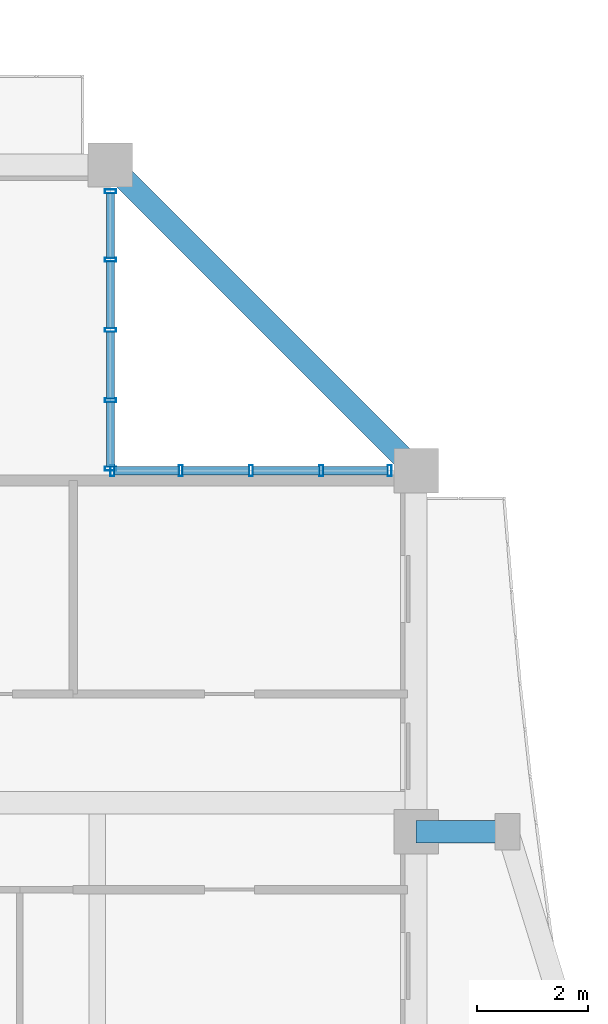
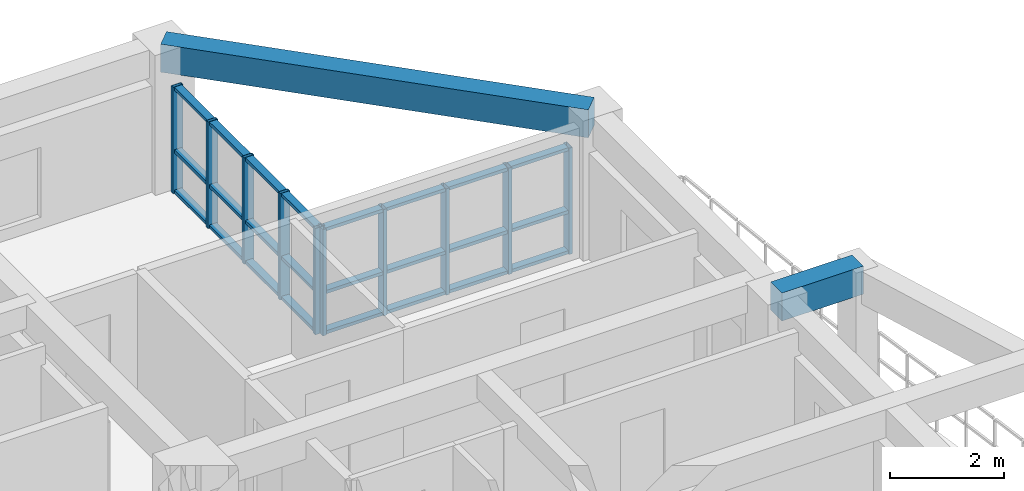
# One storey, part 8 of 22: 34 members, 2 beams, 2 elements without a shape of their own.
"""IFC4 building model written with IfcOpenShell, lengths in metres."""

from ifc_helpers import new_model, si_unit, direction, frame, origin, origin_2d, place, context, subcontext, project, spatial, rectangle, hollow_rectangle, extrude, source, transform, mapped, material, layer, layer_set, material_profile, profile_set, type_object, element, aggregate, save


model = new_model("IFC4")

# Units and contexts
model_context = context("Model", 3, precision=1e-05, world=origin(), true_north=direction((0.0, 1.0)))
body_context = subcontext(model_context, "Body", "Model", "MODEL_VIEW")
ifc_project = project(units=[si_unit("LENGTHUNIT", "METRE"), si_unit("AREAUNIT", "SQUARE_METRE"), si_unit("VOLUMEUNIT", "CUBIC_METRE"), si_unit("PLANEANGLEUNIT", "RADIAN"), si_unit("MASSUNIT", "GRAM", prefix="KILO")], contexts=[model_context])

# Site, building, storey
site_placement = place(None, origin())
site = spatial("IfcSite", under=ifc_project, at=site_placement, CompositionType="ELEMENT")
building_placement = place(site_placement, origin())
building = spatial("IfcBuilding", under=site, at=building_placement, Name="Saelheon Loggia Tower", CompositionType="ELEMENT")
storey_placement = place(building_placement, frame((0.0, 0.0, 196.60009765625)))
storey = spatial("IfcBuildingStorey", under=building, at=storey_placement, Name="L61", CompositionType="ELEMENT", Elevation=196.60009765625)

# Beams
ifc_material_1 = material(Name="Precast Concrete C45/55", Category="concrete")
ifc_material_profile_1 = material_profile(ifc_material_1, rectangle(XDim=0.39990234375, YDim=0.60009765625, at=origin_2d()), Name="RC-400x600")
ifc_profile_set_1 = profile_set([ifc_material_profile_1], Name="Precast Concrete C45/55")
beam_type_1 = type_object("IfcBeamType", Name="Beam_LoggiaTie_RC400x600", PredefinedType="BEAM", material=ifc_profile_set_1)
shared_shape_1 = source(origin(), body_context, "Body", "SweptSolid", [
    extrude(rectangle(XDim=0.39990234375, YDim=0.60009765625, at=origin_2d()), origin(), (0.0, 0.0, 1.0), 1.64990234375),
])
beam_1_placement = place(storey_placement, frame((56.5, 36.0, 2.699951171875), z_axis=(1.0, 0.0, 0.0), x_axis=(0.0, 1.0, 0.0)))
element("IfcBeam", 1, at=beam_1_placement, inside=storey, type_object=beam_type_1, Name="L61 Loggia Frame Tie Beam LP-E2", PredefinedType="BEAM", context=body_context, shape_type="MappedRepresentation", body=[
    mapped(shared_shape_1, transform((0.0, 0.0, 0.0), scale=1.0)),
])
ifc_material_2 = material(Name="Concrete C40/50", Category="concrete")
ifc_material_profile_2 = material_profile(ifc_material_2, rectangle(XDim=0.39990234375, YDim=0.60009765625, at=origin_2d()), Name="RC-400x600")
ifc_profile_set_2 = profile_set([ifc_material_profile_2], Name="Concrete C40/50")
beam_type_2 = type_object("IfcBeamType", Name="Beam_PerimUpper_RC400x600", PredefinedType="BEAM", material=ifc_profile_set_2)
shared_shape_2 = source(origin(), body_context, "Body", "SweptSolid", [
    extrude(rectangle(XDim=0.39990234375, YDim=0.60009765625, at=origin_2d()), origin(), (0.0, 0.0, 1.0), 7.778076171875),
])
beam_2_placement = place(storey_placement, frame((56.5, 42.5, 2.699951171875), z_axis=(-0.707106781187, 0.707106781187, 0.0), x_axis=(-0.707106781187, -0.707106781187, 0.0)))
element("IfcBeam", 2, at=beam_2_placement, inside=storey, type_object=beam_type_2, Name="L61 Perimeter Frame Girder 08", PredefinedType="BEAM", context=body_context, shape_type="MappedRepresentation", body=[
    mapped(shared_shape_2, transform((0.0, 0.0, 0.0), scale=1.0)),
])

# Curtain wall, members
ifc_material_3 = material(Name="High-Wind Aluminium and Triple Laminated Glass", Category="aluminium")
ifc_layer = layer(ifc_material_3, 0.179931640625)
ifc_layer_set = layer_set([ifc_layer], Name="High-Wind Aluminium and Triple Laminated Glass")
curtain_wall_type = type_object("IfcCurtainWallType", Name="CW_TowerLoggiaHigh", PredefinedType="NOTDEFINED", material=ifc_layer_set)
curtain_wall_1_placement = place(storey_placement, origin())
curtain_wall_1 = element("IfcCurtainWall", 3, at=curtain_wall_1_placement, inside=storey, type_object=curtain_wall_type, Name="L61 Corner Notch Glazing NE1", PredefinedType="NOTDEFINED")
ifc_material_4 = material(Name="Anodised Aluminium 6063-T6", Category="aluminium")
ifc_material_profile_3 = material_profile(ifc_material_4, hollow_rectangle(XDim=0.070068359375, YDim=0.199951171875, WallThickness=0.0048828125, at=origin_2d()), Name="RHS-200x70x5")
ifc_profile_set_3 = profile_set([ifc_material_profile_3], Name="Anodised Aluminium 6063-T6")
member_type_1 = type_object("IfcMemberType", Name="CW_TowerLoggiaHigh_Mullion", PredefinedType="MULLION", material=ifc_profile_set_3)
shared_shape_3 = source(origin(), body_context, "Body", "SweptSolid", [
    extrude(hollow_rectangle(XDim=0.070068359375, YDim=0.199951171875, WallThickness=0.0048828125, at=origin_2d()), origin(), (0.0, 0.0, 1.0), 2.27978515625),
])
member_1_placement = place(storey_placement, frame((51.0, 42.534912109375, 0.0), z_axis=(0.0, 0.0, 1.0), x_axis=(0.0, 1.0, 0.0)))
member_1 = element("IfcMember", 4, at=member_1_placement, type_object=member_type_1, Name="CW4 mullion 1", PredefinedType="MULLION", context=body_context, shape_type="MappedRepresentation", body=[
    mapped(shared_shape_3, transform((0.0, 0.0, 0.0), scale=1.0)),
])
member_2_placement = place(storey_placement, frame((51.0, 43.764892578125, 0.0), z_axis=(0.0, 0.0, 1.0), x_axis=(0.0, 1.0, 0.0)))
member_2 = element("IfcMember", 5, at=member_2_placement, type_object=member_type_1, Name="CW4 mullion 2", PredefinedType="MULLION", context=body_context, shape_type="MappedRepresentation", body=[
    mapped(shared_shape_3, transform((0.0, 0.0, 0.0), scale=1.0)),
])
member_3_placement = place(storey_placement, frame((51.0, 45.030029296875, 0.0), z_axis=(0.0, 0.0, 1.0), x_axis=(0.0, 1.0, 0.0)))
member_3 = element("IfcMember", 6, at=member_3_placement, type_object=member_type_1, Name="CW4 mullion 3", PredefinedType="MULLION", context=body_context, shape_type="MappedRepresentation", body=[
    mapped(shared_shape_3, transform((0.0, 0.0, 0.0), scale=1.0)),
])
member_4_placement = place(storey_placement, frame((51.0, 46.294921875, 0.0), z_axis=(0.0, 0.0, 1.0), x_axis=(0.0, 1.0, 0.0)))
member_4 = element("IfcMember", 7, at=member_4_placement, type_object=member_type_1, Name="CW4 mullion 4", PredefinedType="MULLION", context=body_context, shape_type="MappedRepresentation", body=[
    mapped(shared_shape_3, transform((0.0, 0.0, 0.0), scale=1.0)),
])
member_5_placement = place(storey_placement, frame((51.0, 47.52490234375, 0.0), z_axis=(0.0, 0.0, 1.0), x_axis=(0.0, 1.0, 0.0)))
member_5 = element("IfcMember", 8, at=member_5_placement, type_object=member_type_1, Name="CW4 mullion 5", PredefinedType="MULLION", context=body_context, shape_type="MappedRepresentation", body=[
    mapped(shared_shape_3, transform((0.0, 0.0, 0.0), scale=1.0)),
])

curtain_wall_2_placement = place(storey_placement, origin())
curtain_wall_2 = element("IfcCurtainWall", 9, at=curtain_wall_2_placement, inside=storey, type_object=curtain_wall_type, Name="L61 Corner Notch Glazing NE2", PredefinedType="NOTDEFINED")
member_6_placement = place(storey_placement, frame((51.034912109375, 42.5, 0.0), z_axis=(0.0, 0.0, 1.0), x_axis=(1.0, 0.0, 0.0)))
member_6 = element("IfcMember", 10, at=member_6_placement, type_object=member_type_1, Name="CW4 mullion 1", PredefinedType="MULLION", context=body_context, shape_type="MappedRepresentation", body=[
    mapped(shared_shape_3, transform((0.0, 0.0, 0.0), scale=1.0)),
])
member_7_placement = place(storey_placement, frame((52.264892578125, 42.5, 0.0), z_axis=(0.0, 0.0, 1.0), x_axis=(1.0, 0.0, 0.0)))
member_7 = element("IfcMember", 11, at=member_7_placement, type_object=member_type_1, Name="CW4 mullion 2", PredefinedType="MULLION", context=body_context, shape_type="MappedRepresentation", body=[
    mapped(shared_shape_3, transform((0.0, 0.0, 0.0), scale=1.0)),
])
member_8_placement = place(storey_placement, frame((53.530029296875, 42.5, 0.0), z_axis=(0.0, 0.0, 1.0), x_axis=(1.0, 0.0, 0.0)))
member_8 = element("IfcMember", 12, at=member_8_placement, type_object=member_type_1, Name="CW4 mullion 3", PredefinedType="MULLION", context=body_context, shape_type="MappedRepresentation", body=[
    mapped(shared_shape_3, transform((0.0, 0.0, 0.0), scale=1.0)),
])
member_9_placement = place(storey_placement, frame((54.794921875, 42.5, 0.0), z_axis=(0.0, 0.0, 1.0), x_axis=(1.0, 0.0, 0.0)))
member_9 = element("IfcMember", 13, at=member_9_placement, type_object=member_type_1, Name="CW4 mullion 4", PredefinedType="MULLION", context=body_context, shape_type="MappedRepresentation", body=[
    mapped(shared_shape_3, transform((0.0, 0.0, 0.0), scale=1.0)),
])
member_10_placement = place(storey_placement, frame((56.02490234375, 42.5, 0.0), z_axis=(0.0, 0.0, 1.0), x_axis=(1.0, 0.0, 0.0)))
member_10 = element("IfcMember", 14, at=member_10_placement, type_object=member_type_1, Name="CW4 mullion 5", PredefinedType="MULLION", context=body_context, shape_type="MappedRepresentation", body=[
    mapped(shared_shape_3, transform((0.0, 0.0, 0.0), scale=1.0)),
])

# Member
ifc_material_profile_4 = material_profile(ifc_material_4, hollow_rectangle(XDim=0.070068359375, YDim=0.14990234375, WallThickness=0.0048828125, at=origin_2d()), Name="RHS-150x70x5")
ifc_profile_set_4 = profile_set([ifc_material_profile_4], Name="Anodised Aluminium 6063-T6")
member_type_2 = type_object("IfcMemberType", Name="CW_TowerLoggiaHigh_Transom", PredefinedType="USERDEFINED", material=ifc_profile_set_4)
shared_shape_4 = source(origin(), body_context, "Body", "SweptSolid", [
    extrude(hollow_rectangle(XDim=0.070068359375, YDim=0.14990234375, WallThickness=0.0048828125, at=origin_2d()), origin(), (0.0, 0.0, 1.0), 1.159912109375),
])
member_11_placement = place(storey_placement, frame((51.0, 42.570068359375, 0.034912109375), z_axis=(0.0, 1.0, 0.0), x_axis=(0.0, 0.0, 1.0)))
member_11 = element("IfcMember", 15, at=member_11_placement, type_object=member_type_2, Name="CW4 transom 1.1", ObjectType="TRANSOM", PredefinedType="USERDEFINED", context=body_context, shape_type="MappedRepresentation", body=[
    mapped(shared_shape_4, transform((0.0, 0.0, 0.0), scale=1.0)),
])

member_12_placement = place(storey_placement, frame((51.0, 42.570068359375, 0.89990234375), z_axis=(0.0, 1.0, 0.0), x_axis=(0.0, 0.0, 1.0)))
member_12 = element("IfcMember", 16, at=member_12_placement, type_object=member_type_2, Name="CW4 transom 1.2", ObjectType="TRANSOM", PredefinedType="USERDEFINED", context=body_context, shape_type="MappedRepresentation", body=[
    mapped(shared_shape_4, transform((0.0, 0.0, 0.0), scale=1.0)),
])

member_13_placement = place(storey_placement, frame((51.0, 42.570068359375, 2.244873046875), z_axis=(0.0, 1.0, 0.0), x_axis=(0.0, 0.0, 1.0)))
member_13 = element("IfcMember", 17, at=member_13_placement, type_object=member_type_2, Name="CW4 transom 1.3", ObjectType="TRANSOM", PredefinedType="USERDEFINED", context=body_context, shape_type="MappedRepresentation", body=[
    mapped(shared_shape_4, transform((0.0, 0.0, 0.0), scale=1.0)),
])

member_14_placement = place(storey_placement, frame((51.0, 46.330078125, 0.034912109375), z_axis=(0.0, 1.0, 0.0), x_axis=(0.0, 0.0, 1.0)))
member_14 = element("IfcMember", 18, at=member_14_placement, type_object=member_type_2, Name="CW4 transom 4.1", ObjectType="TRANSOM", PredefinedType="USERDEFINED", context=body_context, shape_type="MappedRepresentation", body=[
    mapped(shared_shape_4, transform((0.0, 0.0, 0.0), scale=1.0)),
])

member_15_placement = place(storey_placement, frame((51.0, 46.330078125, 0.89990234375), z_axis=(0.0, 1.0, 0.0), x_axis=(0.0, 0.0, 1.0)))
member_15 = element("IfcMember", 19, at=member_15_placement, type_object=member_type_2, Name="CW4 transom 4.2", ObjectType="TRANSOM", PredefinedType="USERDEFINED", context=body_context, shape_type="MappedRepresentation", body=[
    mapped(shared_shape_4, transform((0.0, 0.0, 0.0), scale=1.0)),
])

member_16_placement = place(storey_placement, frame((51.0, 46.330078125, 2.244873046875), z_axis=(0.0, 1.0, 0.0), x_axis=(0.0, 0.0, 1.0)))
member_16 = element("IfcMember", 20, at=member_16_placement, type_object=member_type_2, Name="CW4 transom 4.3", ObjectType="TRANSOM", PredefinedType="USERDEFINED", context=body_context, shape_type="MappedRepresentation", body=[
    mapped(shared_shape_4, transform((0.0, 0.0, 0.0), scale=1.0)),
])

member_17_placement = place(storey_placement, frame((51.070068359375, 42.5, 0.034912109375), z_axis=(1.0, 0.0, 0.0), x_axis=(0.0, 0.0, 1.0)))
member_17 = element("IfcMember", 21, at=member_17_placement, type_object=member_type_2, Name="CW4 transom 1.1", ObjectType="TRANSOM", PredefinedType="USERDEFINED", context=body_context, shape_type="MappedRepresentation", body=[
    mapped(shared_shape_4, transform((0.0, 0.0, 0.0), scale=1.0)),
])

member_18_placement = place(storey_placement, frame((51.070068359375, 42.5, 0.89990234375), z_axis=(1.0, 0.0, 0.0), x_axis=(0.0, 0.0, 1.0)))
member_18 = element("IfcMember", 22, at=member_18_placement, type_object=member_type_2, Name="CW4 transom 1.2", ObjectType="TRANSOM", PredefinedType="USERDEFINED", context=body_context, shape_type="MappedRepresentation", body=[
    mapped(shared_shape_4, transform((0.0, 0.0, 0.0), scale=1.0)),
])

member_19_placement = place(storey_placement, frame((51.070068359375, 42.5, 2.244873046875), z_axis=(1.0, 0.0, 0.0), x_axis=(0.0, 0.0, 1.0)))
member_19 = element("IfcMember", 23, at=member_19_placement, type_object=member_type_2, Name="CW4 transom 1.3", ObjectType="TRANSOM", PredefinedType="USERDEFINED", context=body_context, shape_type="MappedRepresentation", body=[
    mapped(shared_shape_4, transform((0.0, 0.0, 0.0), scale=1.0)),
])

member_20_placement = place(storey_placement, frame((54.830078125, 42.5, 0.034912109375), z_axis=(1.0, 0.0, 0.0), x_axis=(0.0, 0.0, 1.0)))
member_20 = element("IfcMember", 24, at=member_20_placement, type_object=member_type_2, Name="CW4 transom 4.1", ObjectType="TRANSOM", PredefinedType="USERDEFINED", context=body_context, shape_type="MappedRepresentation", body=[
    mapped(shared_shape_4, transform((0.0, 0.0, 0.0), scale=1.0)),
])

member_21_placement = place(storey_placement, frame((54.830078125, 42.5, 0.89990234375), z_axis=(1.0, 0.0, 0.0), x_axis=(0.0, 0.0, 1.0)))
member_21 = element("IfcMember", 25, at=member_21_placement, type_object=member_type_2, Name="CW4 transom 4.2", ObjectType="TRANSOM", PredefinedType="USERDEFINED", context=body_context, shape_type="MappedRepresentation", body=[
    mapped(shared_shape_4, transform((0.0, 0.0, 0.0), scale=1.0)),
])

member_22_placement = place(storey_placement, frame((54.830078125, 42.5, 2.244873046875), z_axis=(1.0, 0.0, 0.0), x_axis=(0.0, 0.0, 1.0)))
member_22 = element("IfcMember", 26, at=member_22_placement, type_object=member_type_2, Name="CW4 transom 4.3", ObjectType="TRANSOM", PredefinedType="USERDEFINED", context=body_context, shape_type="MappedRepresentation", body=[
    mapped(shared_shape_4, transform((0.0, 0.0, 0.0), scale=1.0)),
])

shared_shape_5 = source(origin(), body_context, "Body", "SweptSolid", [
    extrude(hollow_rectangle(XDim=0.070068359375, YDim=0.14990234375, WallThickness=0.0048828125, at=origin_2d()), origin(), (0.0, 0.0, 1.0), 1.195068359375),
])
member_23_placement = place(storey_placement, frame((51.0, 43.800048828125, 0.034912109375), z_axis=(0.0, 1.0, 0.0), x_axis=(0.0, 0.0, 1.0)))
member_23 = element("IfcMember", 27, at=member_23_placement, type_object=member_type_2, Name="CW4 transom 2.1", ObjectType="TRANSOM", PredefinedType="USERDEFINED", context=body_context, shape_type="MappedRepresentation", body=[
    mapped(shared_shape_5, transform((0.0, 0.0, 0.0), scale=1.0)),
])

member_24_placement = place(storey_placement, frame((51.0, 43.800048828125, 0.89990234375), z_axis=(0.0, 1.0, 0.0), x_axis=(0.0, 0.0, 1.0)))
member_24 = element("IfcMember", 28, at=member_24_placement, type_object=member_type_2, Name="CW4 transom 2.2", ObjectType="TRANSOM", PredefinedType="USERDEFINED", context=body_context, shape_type="MappedRepresentation", body=[
    mapped(shared_shape_5, transform((0.0, 0.0, 0.0), scale=1.0)),
])

member_25_placement = place(storey_placement, frame((51.0, 43.800048828125, 2.244873046875), z_axis=(0.0, 1.0, 0.0), x_axis=(0.0, 0.0, 1.0)))
member_25 = element("IfcMember", 29, at=member_25_placement, type_object=member_type_2, Name="CW4 transom 2.3", ObjectType="TRANSOM", PredefinedType="USERDEFINED", context=body_context, shape_type="MappedRepresentation", body=[
    mapped(shared_shape_5, transform((0.0, 0.0, 0.0), scale=1.0)),
])

member_26_placement = place(storey_placement, frame((51.0, 45.06494140625, 0.034912109375), z_axis=(0.0, 1.0, 0.0), x_axis=(0.0, 0.0, 1.0)))
member_26 = element("IfcMember", 30, at=member_26_placement, type_object=member_type_2, Name="CW4 transom 3.1", ObjectType="TRANSOM", PredefinedType="USERDEFINED", context=body_context, shape_type="MappedRepresentation", body=[
    mapped(shared_shape_5, transform((0.0, 0.0, 0.0), scale=1.0)),
])

member_27_placement = place(storey_placement, frame((51.0, 45.06494140625, 0.89990234375), z_axis=(0.0, 1.0, 0.0), x_axis=(0.0, 0.0, 1.0)))
member_27 = element("IfcMember", 31, at=member_27_placement, type_object=member_type_2, Name="CW4 transom 3.2", ObjectType="TRANSOM", PredefinedType="USERDEFINED", context=body_context, shape_type="MappedRepresentation", body=[
    mapped(shared_shape_5, transform((0.0, 0.0, 0.0), scale=1.0)),
])

member_28_placement = place(storey_placement, frame((51.0, 45.06494140625, 2.244873046875), z_axis=(0.0, 1.0, 0.0), x_axis=(0.0, 0.0, 1.0)))
member_28 = element("IfcMember", 32, at=member_28_placement, type_object=member_type_2, Name="CW4 transom 3.3", ObjectType="TRANSOM", PredefinedType="USERDEFINED", context=body_context, shape_type="MappedRepresentation", body=[
    mapped(shared_shape_5, transform((0.0, 0.0, 0.0), scale=1.0)),
])

aggregate(curtain_wall_1, [member_1, member_2, member_3, member_4, member_5, member_11, member_12, member_13, member_23, member_24, member_25, member_26, member_27, member_28, member_14, member_15, member_16])

member_29_placement = place(storey_placement, frame((52.300048828125, 42.5, 0.034912109375), z_axis=(1.0, 0.0, 0.0), x_axis=(0.0, 0.0, 1.0)))
member_29 = element("IfcMember", 33, at=member_29_placement, type_object=member_type_2, Name="CW4 transom 2.1", ObjectType="TRANSOM", PredefinedType="USERDEFINED", context=body_context, shape_type="MappedRepresentation", body=[
    mapped(shared_shape_5, transform((0.0, 0.0, 0.0), scale=1.0)),
])

member_30_placement = place(storey_placement, frame((52.300048828125, 42.5, 0.89990234375), z_axis=(1.0, 0.0, 0.0), x_axis=(0.0, 0.0, 1.0)))
member_30 = element("IfcMember", 34, at=member_30_placement, type_object=member_type_2, Name="CW4 transom 2.2", ObjectType="TRANSOM", PredefinedType="USERDEFINED", context=body_context, shape_type="MappedRepresentation", body=[
    mapped(shared_shape_5, transform((0.0, 0.0, 0.0), scale=1.0)),
])

member_31_placement = place(storey_placement, frame((52.300048828125, 42.5, 2.244873046875), z_axis=(1.0, 0.0, 0.0), x_axis=(0.0, 0.0, 1.0)))
member_31 = element("IfcMember", 35, at=member_31_placement, type_object=member_type_2, Name="CW4 transom 2.3", ObjectType="TRANSOM", PredefinedType="USERDEFINED", context=body_context, shape_type="MappedRepresentation", body=[
    mapped(shared_shape_5, transform((0.0, 0.0, 0.0), scale=1.0)),
])

member_32_placement = place(storey_placement, frame((53.56494140625, 42.5, 0.034912109375), z_axis=(1.0, 0.0, 0.0), x_axis=(0.0, 0.0, 1.0)))
member_32 = element("IfcMember", 36, at=member_32_placement, type_object=member_type_2, Name="CW4 transom 3.1", ObjectType="TRANSOM", PredefinedType="USERDEFINED", context=body_context, shape_type="MappedRepresentation", body=[
    mapped(shared_shape_5, transform((0.0, 0.0, 0.0), scale=1.0)),
])

member_33_placement = place(storey_placement, frame((53.56494140625, 42.5, 0.89990234375), z_axis=(1.0, 0.0, 0.0), x_axis=(0.0, 0.0, 1.0)))
member_33 = element("IfcMember", 37, at=member_33_placement, type_object=member_type_2, Name="CW4 transom 3.2", ObjectType="TRANSOM", PredefinedType="USERDEFINED", context=body_context, shape_type="MappedRepresentation", body=[
    mapped(shared_shape_5, transform((0.0, 0.0, 0.0), scale=1.0)),
])

member_34_placement = place(storey_placement, frame((53.56494140625, 42.5, 2.244873046875), z_axis=(1.0, 0.0, 0.0), x_axis=(0.0, 0.0, 1.0)))
member_34 = element("IfcMember", 38, at=member_34_placement, type_object=member_type_2, Name="CW4 transom 3.3", ObjectType="TRANSOM", PredefinedType="USERDEFINED", context=body_context, shape_type="MappedRepresentation", body=[
    mapped(shared_shape_5, transform((0.0, 0.0, 0.0), scale=1.0)),
])

aggregate(curtain_wall_2, [member_6, member_7, member_8, member_9, member_10, member_17, member_18, member_19, member_29, member_30, member_31, member_32, member_33, member_34, member_20, member_21, member_22])

save(model, "model.ifc")
